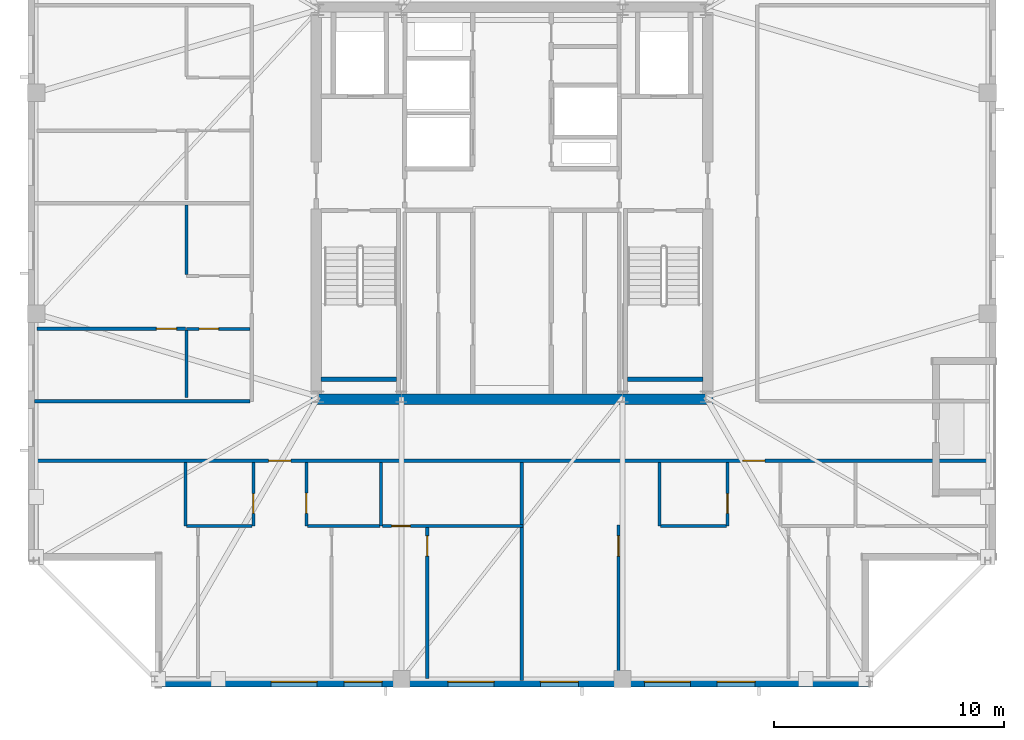
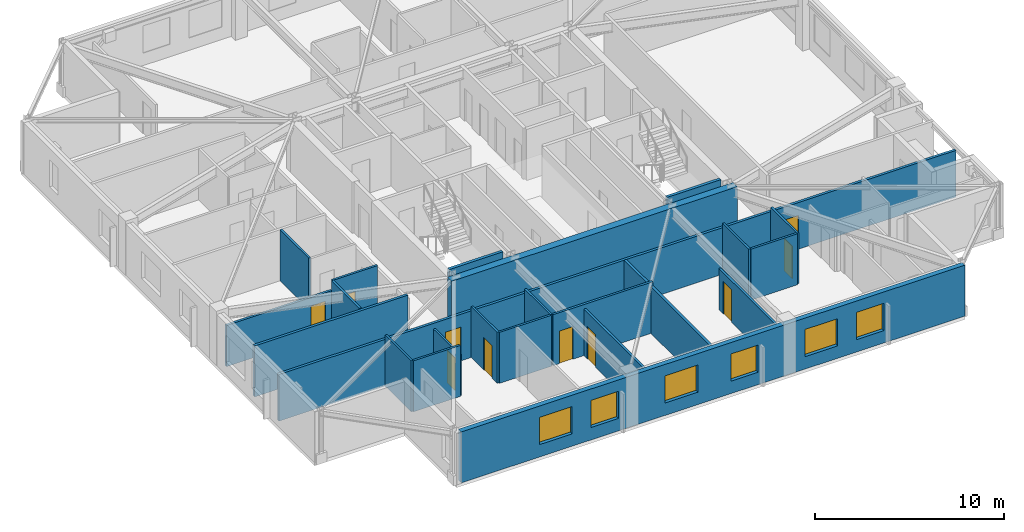
# One storey, part 7 of 15: 23 walls, 10 doors, 6 windows, 16 openings.
"""IFC4 building model written with IfcOpenShell, lengths in metres."""

from ifc_helpers import new_model, si_unit, direction, frame, frame_2d, origin, place, context, subcontext, project, spatial, rectangle, extrude, material, layer, layer_set, type_object, element, fill, save


model = new_model("IFC4")

# Units and contexts
model_context = context("Model", 3, precision=1e-05, world=origin(), true_north=direction((0.0, 1.0)))
body_context = subcontext(model_context, "Body", "Model", "MODEL_VIEW")
ifc_project = project(units=[si_unit("LENGTHUNIT", "METRE"), si_unit("AREAUNIT", "SQUARE_METRE"), si_unit("VOLUMEUNIT", "CUBIC_METRE"), si_unit("PLANEANGLEUNIT", "RADIAN"), si_unit("MASSUNIT", "GRAM", prefix="KILO")], contexts=[model_context])

# Site, building, storey
site_placement = place(None, origin())
site = spatial("IfcSite", under=ifc_project, at=site_placement, CompositionType="ELEMENT")
building_placement = place(site_placement, origin())
building = spatial("IfcBuilding", under=site, at=building_placement, Name="Cairnveth Concourse Tower", CompositionType="ELEMENT")
storey_placement = place(building_placement, frame((0.0, 0.0, 291.0)))
storey = spatial("IfcBuildingStorey", under=building, at=storey_placement, Name="L80", CompositionType="ELEMENT", Elevation=291.0)

# Wall, openings, doors
ifc_material_1 = material(Name="Gypsum Plasterboard Partition", Category="gypsum")
ifc_layer_1 = layer(ifc_material_1, 0.159912109375)
ifc_layer_set_1 = layer_set([ifc_layer_1], Name="Gypsum Plasterboard Partition")
wall_type_1 = type_object("IfcWallType", Name="ACOUSTIC PARTY WALL 180", PredefinedType="PARTITIONING", material=ifc_layer_set_1)
wall_1_placement = place(storey_placement, frame((31.284912109375, 27.822509765625, 0.0), z_axis=(0.0, 0.0, 1.0), x_axis=(1.0, 0.0, 0.0)))
wall_1 = element("IfcWall", 1, at=wall_1_placement, inside=storey, type_object=wall_type_1, Name="Interior Wall IW-L80-036", PredefinedType="PARTITIONING", context=body_context, shape_type="SweptSolid", body=[
    extrude(rectangle(XDim=41.300048828125, YDim=0.159912109375, at=frame_2d((20.64990234375, 0.0))), origin(), (0.0, 0.0, 1.0), 3.009033203125),
])
opening_1_placement = place(wall_1_placement, frame((10.15625, 0.0, 0.0)))
opening_1 = element("IfcOpeningElement", 2, at=opening_1_placement, cuts=wall_1, Name="Opening ID10", PredefinedType="OPENING", context=body_context, shape_type="SweptSolid", body=[
    extrude(rectangle(XDim=0.9599609375, YDim=2.179931640625, at=frame_2d((0.47998046875, 1.08984375))), frame((0.0, 0.08984375, 0.0), z_axis=(0.0, -1.0, 0.0), x_axis=(1.0, 0.0, 0.0)), (0.0, 0.0, 1.0), 0.179931640625),
])
opening_2_placement = place(wall_1_placement, frame((30.736083984375, 0.0, 0.0)))
opening_2 = element("IfcOpeningElement", 3, at=opening_2_placement, cuts=wall_1, Name="Opening ID10", PredefinedType="OPENING", context=body_context, shape_type="SweptSolid", body=[
    extrude(rectangle(XDim=0.9599609375, YDim=2.179931640625, at=frame_2d((0.47998046875, 1.08984375))), frame((0.0, 0.08984375, 0.0), z_axis=(0.0, -1.0, 0.0), x_axis=(1.0, 0.0, 0.0)), (0.0, 0.0, 1.0), 0.179931640625),
])
ifc_material_2 = material(Name="Solid Core Hardwood Timber Leaf", Category="wood")
door_type_1 = type_object("IfcDoorType", Name="FLAT ENTRANCE DOOR 960X2150", OperationType="NOTDEFINED", PredefinedType="DOOR", material=ifc_material_2)
door_1_placement = place(opening_1_placement, origin())
door_1 = element("IfcDoor", 4, at=door_1_placement, inside=storey, type_object=door_type_1, Name="Penthouse L80PS1 Entrance Door", OperationType="SINGLE_SWING_RIGHT", OverallHeight=2.179931640625, OverallWidth=0.9599609375, PredefinedType="DOOR", context=body_context, shape_type="SweptSolid", body=[
    extrude(rectangle(XDim=0.9599609375, YDim=2.179931640625, at=frame_2d((0.47998046875, 1.08984375))), frame((0.0, 0.02490234375, 0.0), z_axis=(0.0, -1.0, 0.0), x_axis=(1.0, 0.0, 0.0)), (0.0, 0.0, 1.0), 0.050048828125),
])
fill(opening_1, door_1)
door_2_placement = place(opening_2_placement, origin())
door_2 = element("IfcDoor", 5, at=door_2_placement, inside=storey, type_object=door_type_1, Name="Penthouse L80PS2 Entrance Door", OperationType="SINGLE_SWING_LEFT", OverallHeight=2.179931640625, OverallWidth=0.9599609375, PredefinedType="DOOR", context=body_context, shape_type="SweptSolid", body=[
    extrude(rectangle(XDim=0.9599609375, YDim=2.179931640625, at=frame_2d((0.47998046875, 1.08984375))), frame((0.0, 0.02490234375, 0.0), z_axis=(0.0, -1.0, 0.0), x_axis=(1.0, 0.0, 0.0)), (0.0, 0.0, 1.0), 0.050048828125),
])
fill(opening_2, door_2)

# Walls
wall_2_placement = place(storey_placement, frame((31.284912109375, 30.39990234375, 0.0), z_axis=(0.0, 0.0, 1.0), x_axis=(1.0, 0.0, 0.0)))
element("IfcWall", 6, at=wall_2_placement, inside=storey, type_object=wall_type_1, Name="Interior Wall IW-L80-040", PredefinedType="PARTITIONING", context=body_context, shape_type="SweptSolid", body=[
    extrude(rectangle(XDim=9.35009765625, YDim=0.159912109375, at=frame_2d((4.675048828125, 0.0))), origin(), (0.0, 0.0, 1.0), 3.2900390625),
])
wall_3_placement = place(storey_placement, frame((52.422607421875, 18.284912109375, 0.0), z_axis=(0.0, 0.0, 1.0), x_axis=(0.0, 1.0, 0.0)))
element("IfcWall", 7, at=wall_3_placement, inside=storey, type_object=wall_type_1, Name="Interior Wall IW-L80-054", PredefinedType="PARTITIONING", context=body_context, shape_type="SweptSolid", body=[
    extrude(rectangle(XDim=9.47265625, YDim=0.159912109375, at=frame_2d((4.736328125, 0.0))), origin(), (0.0, 0.0, 1.0), 3.009033203125),
])
ifc_material_3 = material(Name="Concrete N65 (65 MPa)", Category="concrete")
ifc_layer_2 = layer(ifc_material_3, 0.449951171875)
ifc_layer_set_2 = layer_set([ifc_layer_2], Name="Concrete N65 (65 MPa)")
wall_type_2 = type_object("IfcWallType", Name="CORE SHEAR WALL 450", PredefinedType="SHEAR", material=ifc_layer_set_2)
wall_4_placement = place(storey_placement, frame((43.27490234375, 30.5, 0.0), z_axis=(0.0, 0.0, 1.0), x_axis=(1.0, 0.0, 0.0)))
element("IfcWall", 8, at=wall_4_placement, inside=storey, type_object=wall_type_2, Name="Core South Shear Wall L80", PredefinedType="SHEAR", context=body_context, shape_type="SweptSolid", body=[
    extrude(rectangle(XDim=17.4501953125, YDim=0.449951171875, at=frame_2d((8.72509765625, 0.0))), origin(), (0.0, 0.0, 1.0), 3.2900390625),
])
ifc_material_4 = material(Name="Concrete N50 (50 MPa)", Category="concrete")
ifc_layer_3 = layer(ifc_material_4, 0.179931640625)
ifc_layer_set_3 = layer_set([ifc_layer_3], Name="Concrete N50 (50 MPa)")
wall_type_3 = type_object("IfcWallType", Name="FIRE SHAFT WALL 180", PredefinedType="SOLIDWALL", material=ifc_layer_set_3)
for number, where, z_axis, x_axis, name in (
    (9, (43.715087890625, 31.360107421875, 0.0), (0.0, 0.0, 1.0), (1.0, 0.0, 0.0), "Stair ST-1 Shaft Wall FAR L80"),
    (10, (57.0048828125, 31.360107421875, 0.0), (0.0, 0.0, 1.0), (1.0, 0.0, 0.0), "Stair ST-2 Shaft Wall FAR L80"),
):
    element("IfcWall", number, at=place(storey_placement, frame(where, z_axis=z_axis, x_axis=x_axis)), inside=storey, type_object=wall_type_3, Name=name, PredefinedType="SOLIDWALL", context=body_context, shape_type="SweptSolid", body=[
        extrude(rectangle(XDim=3.280029296875, YDim=0.179931640625, at=frame_2d((1.64013671875, 0.0))), origin(), (0.0, 0.0, 1.0), 3.2900390625),
    ])

# Wall, opening, door
ifc_layer_4 = layer(ifc_material_1, 0.139892578125)
ifc_layer_set_4 = layer_set([ifc_layer_4], Name="Gypsum Plasterboard Partition")
wall_type_4 = type_object("IfcWallType", Name="GYPSUM STUD PARTITION 140", PredefinedType="PARTITIONING", material=ifc_layer_set_4)
wall_5_placement = place(storey_placement, frame((48.322509765625, 18.3798828125, 0.0), z_axis=(0.0, 0.0, 1.0), x_axis=(0.0, 1.0, 0.0)))
wall_5 = element("IfcWall", 11, at=wall_5_placement, inside=storey, type_object=wall_type_4, Name="Interior Wall IW-L80-051", PredefinedType="PARTITIONING", context=body_context, shape_type="SweptSolid", body=[
    extrude(rectangle(XDim=6.652587890625, YDim=0.139892578125, at=frame_2d((3.326171875, 0.0))), origin(), (0.0, 0.0, 1.0), 3.009033203125),
])
opening_3_placement = place(wall_5_placement, frame((5.302490234375, 0.0, 0.0)))
opening_3 = element("IfcOpeningElement", 12, at=opening_3_placement, cuts=wall_5, Name="Opening ID18", PredefinedType="OPENING", context=body_context, shape_type="SweptSolid", body=[
    extrude(rectangle(XDim=0.8798828125, YDim=2.10009765625, at=frame_2d((0.43994140625, 1.050048828125))), frame((0.0, 0.079833984375, 0.0), z_axis=(0.0, -1.0, 0.0), x_axis=(1.0, 0.0, 0.0)), (0.0, 0.0, 1.0), 0.159912109375),
])
door_type_2 = type_object("IfcDoorType", Name="INTERIOR SINGLE DOOR 880X2100", OperationType="NOTDEFINED", PredefinedType="DOOR", material=ifc_material_2)
door_3_placement = place(opening_3_placement, origin())
door_3 = element("IfcDoor", 13, at=door_3_placement, inside=storey, type_object=door_type_2, Name="L80PS1 Bedroom 2 Door", OperationType="SINGLE_SWING_RIGHT", OverallHeight=2.10009765625, OverallWidth=0.8798828125, PredefinedType="DOOR", context=body_context, shape_type="SweptSolid", body=[
    extrude(rectangle(XDim=0.8798828125, YDim=2.10009765625, at=frame_2d((0.43994140625, 1.050048828125))), frame((0.0, 0.02490234375, 0.0), z_axis=(0.0, -1.0, 0.0), x_axis=(1.0, 0.0, 0.0)), (0.0, 0.0, 1.0), 0.050048828125),
])
fill(opening_3, door_3)

wall_6_placement = place(storey_placement, frame((46.37109375, 24.992431640625, 0.0), z_axis=(0.0, 0.0, 1.0), x_axis=(1.0, 0.0, 0.0)))
wall_6 = element("IfcWall", 14, at=wall_6_placement, inside=storey, type_object=wall_type_4, Name="Interior Wall IW-L80-052", PredefinedType="PARTITIONING", context=body_context, shape_type="SweptSolid", body=[
    extrude(rectangle(XDim=6.101318359375, YDim=0.139892578125, at=frame_2d((3.05078125, 0.0))), origin(), (0.0, 0.0, 1.0), 3.2900390625),
])
opening_4_placement = place(wall_6_placement, frame((0.39990234375, 0.0, 0.0)))
opening_4 = element("IfcOpeningElement", 15, at=opening_4_placement, cuts=wall_6, Name="Opening ID22", PredefinedType="OPENING", context=body_context, shape_type="SweptSolid", body=[
    extrude(rectangle(XDim=0.820068359375, YDim=2.10009765625, at=frame_2d((0.41015625, 1.050048828125))), frame((0.0, 0.079833984375, 0.0), z_axis=(0.0, -1.0, 0.0), x_axis=(1.0, 0.0, 0.0)), (0.0, 0.0, 1.0), 0.159912109375),
])
door_type_3 = type_object("IfcDoorType", Name="INTERIOR WC DOOR 820X2100", OperationType="NOTDEFINED", PredefinedType="DOOR", material=ifc_material_2)
door_4_placement = place(opening_4_placement, origin())
door_4 = element("IfcDoor", 16, at=door_4_placement, inside=storey, type_object=door_type_3, Name="L80PS1 Utility Door", OperationType="SINGLE_SWING_LEFT", OverallHeight=2.10009765625, OverallWidth=0.820068359375, PredefinedType="DOOR", context=body_context, shape_type="SweptSolid", body=[
    extrude(rectangle(XDim=0.820068359375, YDim=2.10009765625, at=frame_2d((0.41015625, 1.050048828125))), frame((0.0, 0.02490234375, 0.0), z_axis=(0.0, -1.0, 0.0), x_axis=(1.0, 0.0, 0.0)), (0.0, 0.0, 1.0), 0.050048828125),
])
fill(opening_4, door_4)

wall_7_placement = place(storey_placement, frame((56.62255859375, 18.3798828125, 0.0), z_axis=(0.0, 0.0, 1.0), x_axis=(0.0, 1.0, 0.0)))
wall_7 = element("IfcWall", 17, at=wall_7_placement, inside=storey, type_object=wall_type_4, Name="Interior Wall IW-L80-061", PredefinedType="PARTITIONING", context=body_context, shape_type="SweptSolid", body=[
    extrude(rectangle(XDim=6.652587890625, YDim=0.139892578125, at=frame_2d((3.326171875, 0.0))), origin(), (0.0, 0.0, 1.0), 2.653076171875),
])
opening_5_placement = place(wall_7_placement, frame((5.302490234375, 0.0, 0.0)))
opening_5 = element("IfcOpeningElement", 18, at=opening_5_placement, cuts=wall_7, Name="Opening ID18", PredefinedType="OPENING", context=body_context, shape_type="SweptSolid", body=[
    extrude(rectangle(XDim=0.8798828125, YDim=2.10009765625, at=frame_2d((0.43994140625, 1.050048828125))), frame((0.0, 0.079833984375, 0.0), z_axis=(0.0, -1.0, 0.0), x_axis=(1.0, 0.0, 0.0)), (0.0, 0.0, 1.0), 0.159912109375),
])
door_5_placement = place(opening_5_placement, origin())
door_5 = element("IfcDoor", 19, at=door_5_placement, inside=storey, type_object=door_type_2, Name="L80PS2 Master Bedroom Door", OperationType="SINGLE_SWING_LEFT", OverallHeight=2.10009765625, OverallWidth=0.8798828125, PredefinedType="DOOR", context=body_context, shape_type="SweptSolid", body=[
    extrude(rectangle(XDim=0.8798828125, YDim=2.10009765625, at=frame_2d((0.43994140625, 1.050048828125))), frame((0.0, 0.02490234375, 0.0), z_axis=(0.0, -1.0, 0.0), x_axis=(1.0, 0.0, 0.0)), (0.0, 0.0, 1.0), 0.050048828125),
])
fill(opening_5, door_5)

wall_8_placement = place(storey_placement, frame((31.3798828125, 33.550048828125, 0.0), z_axis=(0.0, 0.0, 1.0), x_axis=(1.0, 0.0, 0.0)))
wall_8 = element("IfcWall", 20, at=wall_8_placement, inside=storey, type_object=wall_type_4, Name="Interior Wall IW-L80-081", PredefinedType="PARTITIONING", context=body_context, shape_type="SweptSolid", body=[
    extrude(rectangle(XDim=6.440185546875, YDim=0.139892578125, at=frame_2d((3.22021484375, 0.0))), origin(), (0.0, 0.0, 1.0), 2.653076171875),
])
opening_6_placement = place(wall_8_placement, frame((5.179931640625, 0.0, 0.0)))
opening_6 = element("IfcOpeningElement", 21, at=opening_6_placement, cuts=wall_8, Name="Opening ID18", PredefinedType="OPENING", context=body_context, shape_type="SweptSolid", body=[
    extrude(rectangle(XDim=0.8798828125, YDim=2.10009765625, at=frame_2d((0.43994140625, 1.050048828125))), frame((0.0, 0.079833984375, 0.0), z_axis=(0.0, -1.0, 0.0), x_axis=(1.0, 0.0, 0.0)), (0.0, 0.0, 1.0), 0.159912109375),
])
door_6_placement = place(opening_6_placement, origin())
door_6 = element("IfcDoor", 22, at=door_6_placement, inside=storey, type_object=door_type_2, Name="L80PW1 Master Bedroom Door", OperationType="SINGLE_SWING_RIGHT", OverallHeight=2.10009765625, OverallWidth=0.8798828125, PredefinedType="DOOR", context=body_context, shape_type="SweptSolid", body=[
    extrude(rectangle(XDim=0.8798828125, YDim=2.10009765625, at=frame_2d((0.43994140625, 1.050048828125))), frame((0.0, 0.02490234375, 0.0), z_axis=(0.0, -1.0, 0.0), x_axis=(1.0, 0.0, 0.0)), (0.0, 0.0, 1.0), 0.050048828125),
])
fill(opening_6, door_6)

# Wall
ifc_layer_5 = layer(ifc_material_1, 0.1298828125)
ifc_layer_set_5 = layer_set([ifc_layer_5], Name="Gypsum Plasterboard Partition")
wall_type_5 = type_object("IfcWallType", Name="WET AREA PARTITION 140", PredefinedType="PLUMBINGWALL", material=ifc_layer_set_5)
wall_9_placement = place(storey_placement, frame((37.8212890625, 24.992431640625, 0.0), z_axis=(0.0, 0.0, 1.0), x_axis=(0.0, 1.0, 0.0)))
element("IfcWall", 23, at=wall_9_placement, inside=storey, type_object=wall_type_5, Name="Interior Wall IW-L80-044", PredefinedType="PLUMBINGWALL", context=body_context, shape_type="SweptSolid", body=[
    extrude(rectangle(XDim=2.75, YDim=0.1298828125, at=frame_2d((1.375, 0.0))), origin(), (0.0, 0.0, 1.0), 3.2900390625),
])

# Wall, opening, door
wall_10_placement = place(storey_placement, frame((40.771240234375, 24.992431640625, 0.0), z_axis=(0.0, 0.0, 1.0), x_axis=(0.0, 1.0, 0.0)))
wall_10 = element("IfcWall", 24, at=wall_10_placement, inside=storey, type_object=wall_type_5, Name="Interior Wall IW-L80-045", PredefinedType="PLUMBINGWALL", context=body_context, shape_type="SweptSolid", body=[
    extrude(rectangle(XDim=2.75, YDim=0.1298828125, at=frame_2d((1.375, 0.0))), origin(), (0.0, 0.0, 1.0), 2.653076171875),
])
opening_7_placement = place(wall_10_placement, frame((0.550048828125, 0.0, 0.0)))
opening_7 = element("IfcOpeningElement", 25, at=opening_7_placement, cuts=wall_10, Name="Opening ID21", PredefinedType="OPENING", context=body_context, shape_type="SweptSolid", body=[
    extrude(rectangle(XDim=0.85009765625, YDim=2.080078125, at=frame_2d((0.425048828125, 1.0400390625))), frame((0.0, 0.074951171875, 0.0), z_axis=(0.0, -1.0, 0.0), x_axis=(1.0, 0.0, 0.0)), (0.0, 0.0, 1.0), 0.14990234375),
])
door_type_4 = type_object("IfcDoorType", Name="INTERIOR WC DOOR 850X2100", OperationType="NOTDEFINED", PredefinedType="DOOR", material=ifc_material_2)
door_7_placement = place(opening_7_placement, origin())
door_7 = element("IfcDoor", 26, at=door_7_placement, inside=storey, type_object=door_type_4, Name="L80PS1 Bathroom Door", OperationType="SINGLE_SWING_RIGHT", OverallHeight=2.080078125, OverallWidth=0.85009765625, PredefinedType="DOOR", context=body_context, shape_type="SweptSolid", body=[
    extrude(rectangle(XDim=0.85009765625, YDim=2.080078125, at=frame_2d((0.425048828125, 1.0400390625))), frame((0.0, 0.02490234375, 0.0), z_axis=(0.0, -1.0, 0.0), x_axis=(1.0, 0.0, 0.0)), (0.0, 0.0, 1.0), 0.050048828125),
])
fill(opening_7, door_7)

# Walls
wall_11_placement = place(storey_placement, frame((37.871337890625, 24.992431640625, 0.0), z_axis=(0.0, 0.0, 1.0), x_axis=(1.0, 0.0, 0.0)))
element("IfcWall", 27, at=wall_11_placement, inside=storey, type_object=wall_type_5, Name="Interior Wall IW-L80-046", PredefinedType="PLUMBINGWALL", context=body_context, shape_type="SweptSolid", body=[
    extrude(rectangle(XDim=2.849853515625, YDim=0.1298828125, at=frame_2d((1.4248046875, 0.0))), origin(), (0.0, 0.0, 1.0), 3.2900390625),
])
wall_12_placement = place(storey_placement, frame((46.3212890625, 24.992431640625, 0.0), z_axis=(0.0, 0.0, 1.0), x_axis=(0.0, 1.0, 0.0)))
element("IfcWall", 28, at=wall_12_placement, inside=storey, type_object=wall_type_5, Name="Interior Wall IW-L80-047", PredefinedType="PLUMBINGWALL", context=body_context, shape_type="SweptSolid", body=[
    extrude(rectangle(XDim=2.75, YDim=0.1298828125, at=frame_2d((1.375, 0.0))), origin(), (0.0, 0.0, 1.0), 3.2900390625),
])

# Wall, opening, door
wall_13_placement = place(storey_placement, frame((43.0712890625, 24.992431640625, 0.0), z_axis=(0.0, 0.0, 1.0), x_axis=(0.0, 1.0, 0.0)))
wall_13 = element("IfcWall", 29, at=wall_13_placement, inside=storey, type_object=wall_type_5, Name="Interior Wall IW-L80-048", PredefinedType="PLUMBINGWALL", context=body_context, shape_type="SweptSolid", body=[
    extrude(rectangle(XDim=2.75, YDim=0.1298828125, at=frame_2d((1.375, 0.0))), origin(), (0.0, 0.0, 1.0), 3.2900390625),
])
opening_8_placement = place(wall_13_placement, frame((0.550048828125, 0.0, 0.0)))
opening_8 = element("IfcOpeningElement", 30, at=opening_8_placement, cuts=wall_13, Name="Opening ID18", PredefinedType="OPENING", context=body_context, shape_type="SweptSolid", body=[
    extrude(rectangle(XDim=0.8798828125, YDim=2.10009765625, at=frame_2d((0.43994140625, 1.050048828125))), frame((0.0, 0.074951171875, 0.0), z_axis=(0.0, -1.0, 0.0), x_axis=(1.0, 0.0, 0.0)), (0.0, 0.0, 1.0), 0.14990234375),
])
door_8_placement = place(opening_8_placement, origin())
door_8 = element("IfcDoor", 31, at=door_8_placement, inside=storey, type_object=door_type_2, Name="L80PS1 Kitchen Door", OperationType="SINGLE_SWING_LEFT", OverallHeight=2.10009765625, OverallWidth=0.8798828125, PredefinedType="DOOR", context=body_context, shape_type="SweptSolid", body=[
    extrude(rectangle(XDim=0.8798828125, YDim=2.10009765625, at=frame_2d((0.43994140625, 1.050048828125))), frame((0.0, 0.02490234375, 0.0), z_axis=(0.0, -1.0, 0.0), x_axis=(1.0, 0.0, 0.0)), (0.0, 0.0, 1.0), 0.050048828125),
])
fill(opening_8, door_8)

# Walls
wall_14_placement = place(storey_placement, frame((43.12109375, 24.992431640625, 0.0), z_axis=(0.0, 0.0, 1.0), x_axis=(1.0, 0.0, 0.0)))
element("IfcWall", 32, at=wall_14_placement, inside=storey, type_object=wall_type_5, Name="Interior Wall IW-L80-049", PredefinedType="PLUMBINGWALL", context=body_context, shape_type="SweptSolid", body=[
    extrude(rectangle(XDim=3.150146484375, YDim=0.1298828125, at=frame_2d((1.5751953125, 0.0))), origin(), (0.0, 0.0, 1.0), 3.2900390625),
])
wall_15_placement = place(storey_placement, frame((58.4013671875, 24.992431640625, 0.0), z_axis=(0.0, 0.0, 1.0), x_axis=(0.0, 1.0, 0.0)))
element("IfcWall", 33, at=wall_15_placement, inside=storey, type_object=wall_type_5, Name="Interior Wall IW-L80-055", PredefinedType="PLUMBINGWALL", context=body_context, shape_type="SweptSolid", body=[
    extrude(rectangle(XDim=2.75, YDim=0.1298828125, at=frame_2d((1.375, 0.0))), origin(), (0.0, 0.0, 1.0), 3.2900390625),
])

# Wall, opening, door
wall_16_placement = place(storey_placement, frame((61.351318359375, 24.992431640625, 0.0), z_axis=(0.0, 0.0, 1.0), x_axis=(0.0, 1.0, 0.0)))
wall_16 = element("IfcWall", 34, at=wall_16_placement, inside=storey, type_object=wall_type_5, Name="Interior Wall IW-L80-056", PredefinedType="PLUMBINGWALL", context=body_context, shape_type="SweptSolid", body=[
    extrude(rectangle(XDim=2.75, YDim=0.1298828125, at=frame_2d((1.375, 0.0))), origin(), (0.0, 0.0, 1.0), 3.2900390625),
])
opening_9_placement = place(wall_16_placement, frame((0.550048828125, 0.0, 0.0)))
opening_9 = element("IfcOpeningElement", 35, at=opening_9_placement, cuts=wall_16, Name="Opening ID21", PredefinedType="OPENING", context=body_context, shape_type="SweptSolid", body=[
    extrude(rectangle(XDim=0.85009765625, YDim=2.080078125, at=frame_2d((0.425048828125, 1.0400390625))), frame((0.0, 0.074951171875, 0.0), z_axis=(0.0, -1.0, 0.0), x_axis=(1.0, 0.0, 0.0)), (0.0, 0.0, 1.0), 0.14990234375),
])
door_9_placement = place(opening_9_placement, origin())
door_9 = element("IfcDoor", 36, at=door_9_placement, inside=storey, type_object=door_type_4, Name="L80PS2 Bathroom Door", OperationType="SINGLE_SWING_LEFT", OverallHeight=2.080078125, OverallWidth=0.85009765625, PredefinedType="DOOR", context=body_context, shape_type="SweptSolid", body=[
    extrude(rectangle(XDim=0.85009765625, YDim=2.080078125, at=frame_2d((0.425048828125, 1.0400390625))), frame((0.0, 0.02490234375, 0.0), z_axis=(0.0, -1.0, 0.0), x_axis=(1.0, 0.0, 0.0)), (0.0, 0.0, 1.0), 0.050048828125),
])
fill(opening_9, door_9)

# Wall
wall_17_placement = place(storey_placement, frame((58.451416015625, 24.992431640625, 0.0), z_axis=(0.0, 0.0, 1.0), x_axis=(1.0, 0.0, 0.0)))
element("IfcWall", 37, at=wall_17_placement, inside=storey, type_object=wall_type_5, Name="Interior Wall IW-L80-057", PredefinedType="PLUMBINGWALL", context=body_context, shape_type="SweptSolid", body=[
    extrude(rectangle(XDim=2.849853515625, YDim=0.1298828125, at=frame_2d((1.4248046875, 0.0))), origin(), (0.0, 0.0, 1.0), 3.2900390625),
])

# Wall, opening, door
wall_18_placement = place(storey_placement, frame((37.8701171875, 33.550048828125, 0.0), z_axis=(0.0, 0.0, 1.0), x_axis=(1.0, 0.0, 0.0)))
wall_18 = element("IfcWall", 38, at=wall_18_placement, inside=storey, type_object=wall_type_5, Name="Interior Wall IW-L80-077", PredefinedType="PLUMBINGWALL", context=body_context, shape_type="SweptSolid", body=[
    extrude(rectangle(XDim=2.75, YDim=0.1298828125, at=frame_2d((1.375, 0.0))), origin(), (0.0, 0.0, 1.0), 3.2900390625),
])
opening_10_placement = place(wall_18_placement, frame((0.550048828125, 0.0, 0.0)))
opening_10 = element("IfcOpeningElement", 39, at=opening_10_placement, cuts=wall_18, Name="Opening ID21", PredefinedType="OPENING", context=body_context, shape_type="SweptSolid", body=[
    extrude(rectangle(XDim=0.85009765625, YDim=2.080078125, at=frame_2d((0.425048828125, 1.0400390625))), frame((0.0, 0.074951171875, 0.0), z_axis=(0.0, -1.0, 0.0), x_axis=(1.0, 0.0, 0.0)), (0.0, 0.0, 1.0), 0.14990234375),
])
door_10_placement = place(opening_10_placement, origin())
door_10 = element("IfcDoor", 40, at=door_10_placement, inside=storey, type_object=door_type_4, Name="L80PW1 Bathroom Door", OperationType="SINGLE_SWING_RIGHT", OverallHeight=2.080078125, OverallWidth=0.85009765625, PredefinedType="DOOR", context=body_context, shape_type="SweptSolid", body=[
    extrude(rectangle(XDim=0.85009765625, YDim=2.080078125, at=frame_2d((0.425048828125, 1.0400390625))), frame((0.0, 0.02490234375, 0.0), z_axis=(0.0, -1.0, 0.0), x_axis=(1.0, 0.0, 0.0)), (0.0, 0.0, 1.0), 0.050048828125),
])
fill(opening_10, door_10)

# Walls
wall_19_placement = place(storey_placement, frame((37.8701171875, 30.56005859375, 0.0), z_axis=(0.0, 0.0, 1.0), x_axis=(0.0, 1.0, 0.0)))
element("IfcWall", 41, at=wall_19_placement, inside=storey, type_object=wall_type_5, Name="Interior Wall IW-L80-078", PredefinedType="PLUMBINGWALL", context=body_context, shape_type="SweptSolid", body=[
    extrude(rectangle(XDim=2.93994140625, YDim=0.1298828125, at=frame_2d((1.469970703125, 0.0))), origin(), (0.0, 0.0, 1.0), 3.2900390625),
])
wall_20_placement = place(storey_placement, frame((37.8701171875, 35.89990234375, 0.0), z_axis=(0.0, 0.0, 1.0), x_axis=(0.0, 1.0, 0.0)))
element("IfcWall", 42, at=wall_20_placement, inside=storey, type_object=wall_type_5, Name="Interior Wall IW-L80-080", PredefinedType="PLUMBINGWALL", context=body_context, shape_type="SweptSolid", body=[
    extrude(rectangle(XDim=3.03515625, YDim=0.1298828125, at=frame_2d((1.517578125, 0.0))), origin(), (0.0, 0.0, 1.0), 3.2900390625),
])

# Wall, openings, windows
ifc_material_5 = material(Name="Hawthorn Red-Ochre Fired Clay Brick Masonry", Category="masonry")
ifc_layer_6 = layer(ifc_material_5, 0.300048828125)
ifc_layer_set_6 = layer_set([ifc_layer_6], Name="Hawthorn Red-Ochre Fired Clay Brick Masonry")
wall_type_6 = type_object("IfcWallType", Name="ZONE 4 BRICK PIER SPANDREL WALL 300", PredefinedType="SOLIDWALL", material=ifc_layer_set_6)
wall_21_placement = place(storey_placement, frame((67.5, 18.14990234375, 0.0), z_axis=(0.0, 0.0, 1.0), x_axis=(-1.0, 0.0, 0.0)))
wall_21 = element("IfcWall", 43, at=wall_21_placement, inside=storey, type_object=wall_type_6, Name="Exterior Wall EW-L80-S03", PredefinedType="SOLIDWALL", context=body_context, shape_type="SweptSolid", body=[
    extrude(rectangle(XDim=30.721923828125, YDim=0.300048828125, at=frame_2d((15.36083984375, 0.0))), origin(), (0.0, 0.0, 1.0), 3.2900390625),
])
opening_11_placement = place(wall_21_placement, frame((4.943603515625, 0.0, 0.800048828125)))
opening_11 = element("IfcOpeningElement", 44, at=opening_11_placement, cuts=wall_21, Name="Opening W04", PredefinedType="OPENING", context=body_context, shape_type="SweptSolid", body=[
    extrude(rectangle(XDim=1.64990234375, YDim=1.758056640625, at=frame_2d((0.824951171875, 0.87890625))), frame((0.0, 0.159912109375, 0.0), z_axis=(0.0, -1.0, 0.0), x_axis=(1.0, 0.0, 0.0)), (0.0, 0.0, 1.0), 0.320068359375),
])
opening_12_placement = place(wall_21_placement, frame((7.755615234375, 0.0, 0.800048828125)))
opening_12 = element("IfcOpeningElement", 45, at=opening_12_placement, cuts=wall_21, Name="Opening W09", PredefinedType="OPENING", context=body_context, shape_type="SweptSolid", body=[
    extrude(rectangle(XDim=2.0, YDim=1.758056640625, at=frame_2d((1.0, 0.87890625))), frame((0.0, 0.159912109375, 0.0), z_axis=(0.0, -1.0, 0.0), x_axis=(1.0, 0.0, 0.0)), (0.0, 0.0, 1.0), 0.320068359375),
])
opening_13_placement = place(wall_21_placement, frame((12.617431640625, 0.0, 0.800048828125)))
opening_13 = element("IfcOpeningElement", 46, at=opening_13_placement, cuts=wall_21, Name="Opening W04", PredefinedType="OPENING", context=body_context, shape_type="SweptSolid", body=[
    extrude(rectangle(XDim=1.64990234375, YDim=1.758056640625, at=frame_2d((0.824951171875, 0.87890625))), frame((0.0, 0.159912109375, 0.0), z_axis=(0.0, -1.0, 0.0), x_axis=(1.0, 0.0, 0.0)), (0.0, 0.0, 1.0), 0.320068359375),
])
opening_14_placement = place(wall_21_placement, frame((16.279541015625, 0.0, 0.800048828125)))
opening_14 = element("IfcOpeningElement", 47, at=opening_14_placement, cuts=wall_21, Name="Opening W09", PredefinedType="OPENING", context=body_context, shape_type="SweptSolid", body=[
    extrude(rectangle(XDim=2.0, YDim=1.758056640625, at=frame_2d((1.0, 0.87890625))), frame((0.0, 0.159912109375, 0.0), z_axis=(0.0, -1.0, 0.0), x_axis=(1.0, 0.0, 0.0)), (0.0, 0.0, 1.0), 0.320068359375),
])
opening_15_placement = place(wall_21_placement, frame((21.1416015625, 0.0, 0.800048828125)))
opening_15 = element("IfcOpeningElement", 48, at=opening_15_placement, cuts=wall_21, Name="Opening W04", PredefinedType="OPENING", context=body_context, shape_type="SweptSolid", body=[
    extrude(rectangle(XDim=1.64990234375, YDim=1.758056640625, at=frame_2d((0.824951171875, 0.87890625))), frame((0.0, 0.159912109375, 0.0), z_axis=(0.0, -1.0, 0.0), x_axis=(1.0, 0.0, 0.0)), (0.0, 0.0, 1.0), 0.320068359375),
])
opening_16_placement = place(wall_21_placement, frame((23.95361328125, 0.0, 0.800048828125)))
opening_16 = element("IfcOpeningElement", 49, at=opening_16_placement, cuts=wall_21, Name="Opening W09", PredefinedType="OPENING", context=body_context, shape_type="SweptSolid", body=[
    extrude(rectangle(XDim=2.0, YDim=1.758056640625, at=frame_2d((1.0, 0.87890625))), frame((0.0, 0.159912109375, 0.0), z_axis=(0.0, -1.0, 0.0), x_axis=(1.0, 0.0, 0.0)), (0.0, 0.0, 1.0), 0.320068359375),
])
ifc_material_6 = material(Name="Double Glazed Low-E Clear Glass", Category="glass")
window_type_1 = type_object("IfcWindowType", Name="DEEP-SET GOTHIC LANCET WINDOW 1650X1850", PartitioningType="DOUBLE_PANEL_VERTICAL", PredefinedType="WINDOW", material=ifc_material_6)
window_1_placement = place(opening_11_placement, origin())
window_1 = element("IfcWindow", 50, at=window_1_placement, inside=storey, type_object=window_type_1, Name="Gothic Lancet Window L80-3-1", OverallHeight=1.758056640625, OverallWidth=1.64990234375, PartitioningType="SINGLE_PANEL", PredefinedType="WINDOW", context=body_context, shape_type="SweptSolid", body=[
    extrude(rectangle(XDim=1.64990234375, YDim=1.758056640625, at=frame_2d((0.824951171875, 0.87890625))), frame((0.0, -0.050048828125, 0.0), z_axis=(0.0, -1.0, 0.0), x_axis=(1.0, 0.0, 0.0)), (0.0, 0.0, 1.0), 0.06005859375),
])
fill(opening_11, window_1)
window_2_placement = place(opening_13_placement, origin())
window_2 = element("IfcWindow", 51, at=window_2_placement, inside=storey, type_object=window_type_1, Name="Gothic Lancet Window L80-3-3", OverallHeight=1.758056640625, OverallWidth=1.64990234375, PartitioningType="SINGLE_PANEL", PredefinedType="WINDOW", context=body_context, shape_type="SweptSolid", body=[
    extrude(rectangle(XDim=1.64990234375, YDim=1.758056640625, at=frame_2d((0.824951171875, 0.87890625))), frame((0.0, -0.050048828125, 0.0), z_axis=(0.0, -1.0, 0.0), x_axis=(1.0, 0.0, 0.0)), (0.0, 0.0, 1.0), 0.06005859375),
])
fill(opening_13, window_2)
window_3_placement = place(opening_15_placement, origin())
window_3 = element("IfcWindow", 52, at=window_3_placement, inside=storey, type_object=window_type_1, Name="Gothic Lancet Window L80-3-5", OverallHeight=1.758056640625, OverallWidth=1.64990234375, PartitioningType="SINGLE_PANEL", PredefinedType="WINDOW", context=body_context, shape_type="SweptSolid", body=[
    extrude(rectangle(XDim=1.64990234375, YDim=1.758056640625, at=frame_2d((0.824951171875, 0.87890625))), frame((0.0, -0.050048828125, 0.0), z_axis=(0.0, -1.0, 0.0), x_axis=(1.0, 0.0, 0.0)), (0.0, 0.0, 1.0), 0.06005859375),
])
fill(opening_15, window_3)
window_type_2 = type_object("IfcWindowType", Name="DEEP-SET PENTHOUSE LANCET WINDOW 2000X1850", PartitioningType="DOUBLE_PANEL_VERTICAL", PredefinedType="WINDOW", material=ifc_material_6)
window_4_placement = place(opening_12_placement, origin())
window_4 = element("IfcWindow", 53, at=window_4_placement, inside=storey, type_object=window_type_2, Name="Gothic Lancet Window L80-3-2", OverallHeight=1.758056640625, OverallWidth=2.0, PartitioningType="SINGLE_PANEL", PredefinedType="WINDOW", context=body_context, shape_type="SweptSolid", body=[
    extrude(rectangle(XDim=2.0, YDim=1.758056640625, at=frame_2d((1.0, 0.87890625))), frame((0.0, -0.050048828125, 0.0), z_axis=(0.0, -1.0, 0.0), x_axis=(1.0, 0.0, 0.0)), (0.0, 0.0, 1.0), 0.06005859375),
])
fill(opening_12, window_4)
window_5_placement = place(opening_14_placement, origin())
window_5 = element("IfcWindow", 54, at=window_5_placement, inside=storey, type_object=window_type_2, Name="Gothic Lancet Window L80-3-4", OverallHeight=1.758056640625, OverallWidth=2.0, PartitioningType="SINGLE_PANEL", PredefinedType="WINDOW", context=body_context, shape_type="SweptSolid", body=[
    extrude(rectangle(XDim=2.0, YDim=1.758056640625, at=frame_2d((1.0, 0.87890625))), frame((0.0, -0.050048828125, 0.0), z_axis=(0.0, -1.0, 0.0), x_axis=(1.0, 0.0, 0.0)), (0.0, 0.0, 1.0), 0.06005859375),
])
fill(opening_14, window_5)
window_6_placement = place(opening_16_placement, origin())
window_6 = element("IfcWindow", 55, at=window_6_placement, inside=storey, type_object=window_type_2, Name="Gothic Lancet Window L80-3-6", OverallHeight=1.758056640625, OverallWidth=2.0, PartitioningType="SINGLE_PANEL", PredefinedType="WINDOW", context=body_context, shape_type="SweptSolid", body=[
    extrude(rectangle(XDim=2.0, YDim=1.758056640625, at=frame_2d((1.0, 0.87890625))), frame((0.0, -0.050048828125, 0.0), z_axis=(0.0, -1.0, 0.0), x_axis=(1.0, 0.0, 0.0)), (0.0, 0.0, 1.0), 0.06005859375),
])
fill(opening_16, window_6)

save(model, "model.ifc")
